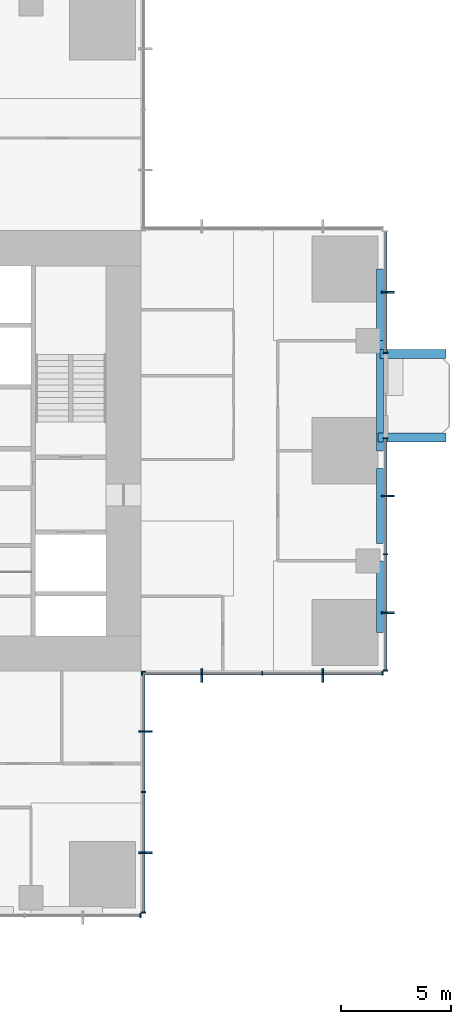
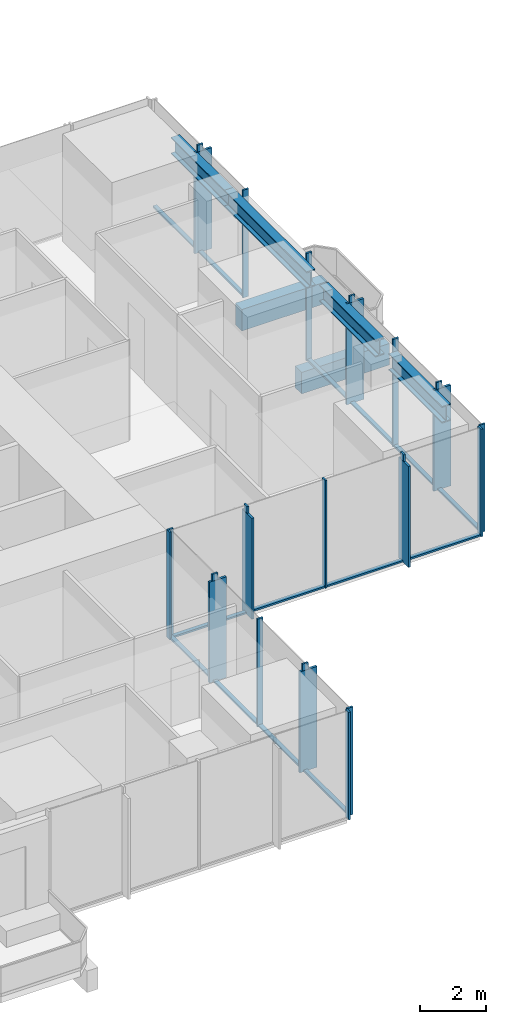
# One storey, part 4 of 13: 39 members, 6 beams, 5 elements without a shape of their own.
"""IFC4 building model written with IfcOpenShell, lengths in metres."""

from ifc_helpers import new_model, si_unit, direction, frame, origin, origin_2d, place, context, subcontext, project, spatial, rectangle, i_section, extrude, material, material_profile, profile_set, type_object, element, aggregate, save


model = new_model("IFC4")

# Units and contexts
model_context = context("Model", 3, precision=1e-05, world=origin(), true_north=direction((0.0, 1.0)))
body_context = subcontext(model_context, "Body", "Model", "MODEL_VIEW")
ifc_project = project(units=[si_unit("LENGTHUNIT", "METRE"), si_unit("AREAUNIT", "SQUARE_METRE"), si_unit("VOLUMEUNIT", "CUBIC_METRE"), si_unit("PLANEANGLEUNIT", "RADIAN"), si_unit("MASSUNIT", "GRAM", prefix="KILO")], contexts=[model_context])

# Site, building, storey
site_placement = place(None, origin())
site = spatial("IfcSite", under=ifc_project, at=site_placement, CompositionType="ELEMENT")
building_placement = place(site_placement, origin())
building = spatial("IfcBuilding", under=site, at=building_placement, Name="Svetlomir Tower", CompositionType="ELEMENT")
storey_placement = place(building_placement, frame((0.0, 0.0, 148.5)))
storey = spatial("IfcBuildingStorey", under=building, at=storey_placement, Name="L35", CompositionType="ELEMENT", Elevation=148.5)

# Beams
ifc_material_1 = material(Name="Concrete C60/75", Category="concrete")
ifc_material_profile_1 = material_profile(ifc_material_1, rectangle(XDim=0.39990234375, YDim=0.800048828125, at=origin_2d()), Name="RC 400x800")
ifc_profile_set_1 = profile_set([ifc_material_profile_1], Name="Concrete C60/75")
beam_type_1 = type_object("IfcBeamType", Name="BALCONY RIB RC 400x800", PredefinedType="BEAM", material=ifc_profile_set_1)
beam_1_placement = place(storey_placement, frame((41.75, 21.60009765625, -0.64990234375), z_axis=(1.0, 0.0, 0.0), x_axis=(0.0, 1.0, 0.0)))
element("IfcBeam", 1, at=beam_1_placement, inside=storey, type_object=beam_type_1, Name="Balcony rib E 1 L35", PredefinedType="BEAM", context=body_context, shape_type="SweptSolid", body=[
    extrude(rectangle(XDim=0.39990234375, YDim=0.800048828125, at=origin_2d()), origin(), (0.0, 0.0, 1.0), 3.10009765625),
])
beam_2_placement = place(storey_placement, frame((41.85009765625, 25.39990234375, -0.64990234375), z_axis=(1.0, 0.0, 0.0), x_axis=(0.0, 1.0, 0.0)))
element("IfcBeam", 2, at=beam_2_placement, inside=storey, type_object=beam_type_1, Name="Balcony rib E 2 L35", PredefinedType="BEAM", context=body_context, shape_type="SweptSolid", body=[
    extrude(rectangle(XDim=0.39990234375, YDim=0.800048828125, at=origin_2d()), origin(), (0.0, 0.0, 1.0), 3.0),
])

# Curtain wall, members
ifc_material_2 = material(Name="Bronze anodised aluminium curtain wall", Category="aluminium")
curtain_wall_type = type_object("IfcCurtainWallType", Name="CURTAIN WALL CW1 TOWER OFFICE", PredefinedType="NOTDEFINED", material=ifc_material_2)
curtain_wall_1_placement = place(storey_placement, origin())
curtain_wall_1 = element("IfcCurtainWall", 3, at=curtain_wall_1_placement, inside=storey, type_object=curtain_wall_type, Name="Curtain wall CW1 L35", PredefinedType="NOTDEFINED")
ifc_material_3 = material(Name="Bronze anodised aluminium", Category="aluminium")
ifc_material_profile_2 = material_profile(ifc_material_3, rectangle(XDim=0.080078125, YDim=0.60009765625, at=origin_2d()), Name="FIN 80x600")
ifc_profile_set_2 = profile_set([ifc_material_profile_2], Name="Bronze anodised aluminium 6063-T6")
member_type_1 = type_object("IfcMemberType", Name="BRONZE FIN 80x600", PredefinedType="USERDEFINED", material=ifc_profile_set_2)
member_1_placement = place(storey_placement, frame((31.199951171875, 2.75, 0.0), z_axis=(0.0, 0.0, 1.0), x_axis=(0.0, 1.0, 0.0)))
member_1 = element("IfcMember", 4, at=member_1_placement, type_object=member_type_1, Name="Bronze fin L35", ObjectType="FIN", PredefinedType="USERDEFINED", context=body_context, shape_type="SweptSolid", body=[
    extrude(rectangle(XDim=0.080078125, YDim=0.60009765625, at=origin_2d()), origin(), (0.0, 0.0, 1.0), 3.75),
])
member_2_placement = place(storey_placement, frame((31.199951171875, 8.25, 0.0), z_axis=(0.0, 0.0, 1.0), x_axis=(0.0, 1.0, 0.0)))
member_2 = element("IfcMember", 5, at=member_2_placement, type_object=member_type_1, Name="Bronze fin L35", ObjectType="FIN", PredefinedType="USERDEFINED", context=body_context, shape_type="SweptSolid", body=[
    extrude(rectangle(XDim=0.080078125, YDim=0.60009765625, at=origin_2d()), origin(), (0.0, 0.0, 1.0), 3.75),
])

curtain_wall_2_placement = place(storey_placement, origin())
curtain_wall_2 = element("IfcCurtainWall", 6, at=curtain_wall_2_placement, inside=storey, type_object=curtain_wall_type, Name="Curtain wall CW1 L35", PredefinedType="NOTDEFINED")
member_3_placement = place(storey_placement, frame((33.75, 10.800048828125, 0.0), z_axis=(0.0, 0.0, 1.0), x_axis=(1.0, 0.0, 0.0)))
member_3 = element("IfcMember", 7, at=member_3_placement, type_object=member_type_1, Name="Bronze fin L35", ObjectType="FIN", PredefinedType="USERDEFINED", context=body_context, shape_type="SweptSolid", body=[
    extrude(rectangle(XDim=0.080078125, YDim=0.60009765625, at=origin_2d()), origin(), (0.0, 0.0, 1.0), 3.75),
])
member_4_placement = place(storey_placement, frame((39.25, 10.800048828125, 0.0), z_axis=(0.0, 0.0, 1.0), x_axis=(1.0, 0.0, 0.0)))
member_4 = element("IfcMember", 8, at=member_4_placement, type_object=member_type_1, Name="Bronze fin L35", ObjectType="FIN", PredefinedType="USERDEFINED", context=body_context, shape_type="SweptSolid", body=[
    extrude(rectangle(XDim=0.080078125, YDim=0.60009765625, at=origin_2d()), origin(), (0.0, 0.0, 1.0), 3.75),
])

curtain_wall_3_placement = place(storey_placement, origin())
curtain_wall_3 = element("IfcCurtainWall", 9, at=curtain_wall_3_placement, inside=storey, type_object=curtain_wall_type, Name="Curtain wall CW1 L35", PredefinedType="NOTDEFINED")
member_5_placement = place(storey_placement, frame((42.199951171875, 13.64990234375, 0.0), z_axis=(0.0, 0.0, 1.0), x_axis=(0.0, 1.0, 0.0)))
member_5 = element("IfcMember", 10, at=member_5_placement, type_object=member_type_1, Name="Bronze fin L35", ObjectType="FIN", PredefinedType="USERDEFINED", context=body_context, shape_type="SweptSolid", body=[
    extrude(rectangle(XDim=0.080078125, YDim=0.60009765625, at=origin_2d()), origin(), (0.0, 0.0, 1.0), 3.75),
])
member_6_placement = place(storey_placement, frame((42.199951171875, 18.949951171875, 0.0), z_axis=(0.0, 0.0, 1.0), x_axis=(0.0, 1.0, 0.0)))
member_6 = element("IfcMember", 11, at=member_6_placement, type_object=member_type_1, Name="Bronze fin L35", ObjectType="FIN", PredefinedType="USERDEFINED", context=body_context, shape_type="SweptSolid", body=[
    extrude(rectangle(XDim=0.080078125, YDim=0.60009765625, at=origin_2d()), origin(), (0.0, 0.0, 1.0), 3.75),
])

# Curtain wall, member
curtain_wall_4_placement = place(storey_placement, origin())
curtain_wall_4 = element("IfcCurtainWall", 12, at=curtain_wall_4_placement, inside=storey, type_object=curtain_wall_type, Name="Curtain wall CW1 L35", PredefinedType="NOTDEFINED")
member_7_placement = place(storey_placement, frame((42.199951171875, 28.199951171875, 0.0), z_axis=(0.0, 0.0, 1.0), x_axis=(0.0, 1.0, 0.0)))
member_7 = element("IfcMember", 13, at=member_7_placement, type_object=member_type_1, Name="Bronze fin L35", ObjectType="FIN", PredefinedType="USERDEFINED", context=body_context, shape_type="SweptSolid", body=[
    extrude(rectangle(XDim=0.080078125, YDim=0.60009765625, at=origin_2d()), origin(), (0.0, 0.0, 1.0), 3.75),
])

curtain_wall_5_placement = place(storey_placement, origin())
curtain_wall_5 = element("IfcCurtainWall", 14, at=curtain_wall_5_placement, inside=storey, type_object=curtain_wall_type, Name="Curtain wall CW1 L35", PredefinedType="NOTDEFINED")
ifc_material_4 = material(Name="Bronze anodised aluminium", Category="aluminium")
ifc_material_profile_3 = material_profile(ifc_material_4, rectangle(XDim=0.06494140625, YDim=0.199951171875, at=origin_2d()), Name="AL 65x200")
ifc_profile_set_3 = profile_set([ifc_material_profile_3], Name="Bronze anodised aluminium 6063-T6")
member_type_2 = type_object("IfcMemberType", Name="CW1 MULLION 65x200", PredefinedType="MULLION", material=ifc_profile_set_3)
member_8_placement = place(storey_placement, frame((30.967529296875, -0.10009765625, 0.0), z_axis=(0.0, 0.0, 1.0), x_axis=(1.0, 0.0, 0.0)))
member_8 = element("IfcMember", 15, at=member_8_placement, type_object=member_type_2, Name="CW1 mullion 5", PredefinedType="MULLION", context=body_context, shape_type="SweptSolid", body=[
    extrude(rectangle(XDim=0.06494140625, YDim=0.199951171875, at=origin_2d()), origin(), (0.0, 0.0, 1.0), 4.0),
])
aggregate(curtain_wall_5, [member_8])

# Member
member_9_placement = place(storey_placement, frame((31.10009765625, 0.032470703125, 0.0), z_axis=(0.0, 0.0, 1.0), x_axis=(0.0, 1.0, 0.0)))
member_9 = element("IfcMember", 16, at=member_9_placement, type_object=member_type_2, Name="CW1 mullion 1", PredefinedType="MULLION", context=body_context, shape_type="SweptSolid", body=[
    extrude(rectangle(XDim=0.06494140625, YDim=0.199951171875, at=origin_2d()), origin(), (0.0, 0.0, 1.0), 4.0),
])

member_10_placement = place(storey_placement, frame((31.10009765625, 2.75, 0.0), z_axis=(0.0, 0.0, 1.0), x_axis=(0.0, 1.0, 0.0)))
member_10 = element("IfcMember", 17, at=member_10_placement, type_object=member_type_2, Name="CW1 mullion 2", PredefinedType="MULLION", context=body_context, shape_type="SweptSolid", body=[
    extrude(rectangle(XDim=0.06494140625, YDim=0.199951171875, at=origin_2d()), origin(), (0.0, 0.0, 1.0), 4.0),
])

member_11_placement = place(storey_placement, frame((31.10009765625, 5.5, 0.0), z_axis=(0.0, 0.0, 1.0), x_axis=(0.0, 1.0, 0.0)))
member_11 = element("IfcMember", 18, at=member_11_placement, type_object=member_type_2, Name="CW1 mullion 3", PredefinedType="MULLION", context=body_context, shape_type="SweptSolid", body=[
    extrude(rectangle(XDim=0.06494140625, YDim=0.199951171875, at=origin_2d()), origin(), (0.0, 0.0, 1.0), 4.0),
])

member_12_placement = place(storey_placement, frame((31.10009765625, 8.25, 0.0), z_axis=(0.0, 0.0, 1.0), x_axis=(0.0, 1.0, 0.0)))
member_12 = element("IfcMember", 19, at=member_12_placement, type_object=member_type_2, Name="CW1 mullion 4", PredefinedType="MULLION", context=body_context, shape_type="SweptSolid", body=[
    extrude(rectangle(XDim=0.06494140625, YDim=0.199951171875, at=origin_2d()), origin(), (0.0, 0.0, 1.0), 4.0),
])

member_13_placement = place(storey_placement, frame((31.10009765625, 10.967529296875, 0.0), z_axis=(0.0, 0.0, 1.0), x_axis=(0.0, 1.0, 0.0)))
member_13 = element("IfcMember", 20, at=member_13_placement, type_object=member_type_2, Name="CW1 mullion 5", PredefinedType="MULLION", context=body_context, shape_type="SweptSolid", body=[
    extrude(rectangle(XDim=0.06494140625, YDim=0.199951171875, at=origin_2d()), origin(), (0.0, 0.0, 1.0), 4.0),
])

member_14_placement = place(storey_placement, frame((31.032470703125, 10.89990234375, 0.0), z_axis=(0.0, 0.0, 1.0), x_axis=(1.0, 0.0, 0.0)))
member_14 = element("IfcMember", 21, at=member_14_placement, type_object=member_type_2, Name="CW1 mullion 1", PredefinedType="MULLION", context=body_context, shape_type="SweptSolid", body=[
    extrude(rectangle(XDim=0.06494140625, YDim=0.199951171875, at=origin_2d()), origin(), (0.0, 0.0, 1.0), 4.0),
])

member_15_placement = place(storey_placement, frame((33.75, 10.89990234375, 0.0), z_axis=(0.0, 0.0, 1.0), x_axis=(1.0, 0.0, 0.0)))
member_15 = element("IfcMember", 22, at=member_15_placement, type_object=member_type_2, Name="CW1 mullion 2", PredefinedType="MULLION", context=body_context, shape_type="SweptSolid", body=[
    extrude(rectangle(XDim=0.06494140625, YDim=0.199951171875, at=origin_2d()), origin(), (0.0, 0.0, 1.0), 4.0),
])

member_16_placement = place(storey_placement, frame((36.5, 10.89990234375, 0.0), z_axis=(0.0, 0.0, 1.0), x_axis=(1.0, 0.0, 0.0)))
member_16 = element("IfcMember", 23, at=member_16_placement, type_object=member_type_2, Name="CW1 mullion 3", PredefinedType="MULLION", context=body_context, shape_type="SweptSolid", body=[
    extrude(rectangle(XDim=0.06494140625, YDim=0.199951171875, at=origin_2d()), origin(), (0.0, 0.0, 1.0), 4.0),
])

member_17_placement = place(storey_placement, frame((39.25, 10.89990234375, 0.0), z_axis=(0.0, 0.0, 1.0), x_axis=(1.0, 0.0, 0.0)))
member_17 = element("IfcMember", 24, at=member_17_placement, type_object=member_type_2, Name="CW1 mullion 4", PredefinedType="MULLION", context=body_context, shape_type="SweptSolid", body=[
    extrude(rectangle(XDim=0.06494140625, YDim=0.199951171875, at=origin_2d()), origin(), (0.0, 0.0, 1.0), 4.0),
])

member_18_placement = place(storey_placement, frame((41.967529296875, 10.89990234375, 0.0), z_axis=(0.0, 0.0, 1.0), x_axis=(1.0, 0.0, 0.0)))
member_18 = element("IfcMember", 25, at=member_18_placement, type_object=member_type_2, Name="CW1 mullion 5", PredefinedType="MULLION", context=body_context, shape_type="SweptSolid", body=[
    extrude(rectangle(XDim=0.06494140625, YDim=0.199951171875, at=origin_2d()), origin(), (0.0, 0.0, 1.0), 4.0),
])

member_19_placement = place(storey_placement, frame((42.10009765625, 11.032470703125, 0.0), z_axis=(0.0, 0.0, 1.0), x_axis=(0.0, 1.0, 0.0)))
member_19 = element("IfcMember", 26, at=member_19_placement, type_object=member_type_2, Name="CW1 mullion 1", PredefinedType="MULLION", context=body_context, shape_type="SweptSolid", body=[
    extrude(rectangle(XDim=0.06494140625, YDim=0.199951171875, at=origin_2d()), origin(), (0.0, 0.0, 1.0), 4.0),
])

member_20_placement = place(storey_placement, frame((42.10009765625, 13.64990234375, 0.0), z_axis=(0.0, 0.0, 1.0), x_axis=(0.0, 1.0, 0.0)))
member_20 = element("IfcMember", 27, at=member_20_placement, type_object=member_type_2, Name="CW1 mullion 2", PredefinedType="MULLION", context=body_context, shape_type="SweptSolid", body=[
    extrude(rectangle(XDim=0.06494140625, YDim=0.199951171875, at=origin_2d()), origin(), (0.0, 0.0, 1.0), 4.0),
])

member_21_placement = place(storey_placement, frame((42.10009765625, 16.300048828125, 0.0), z_axis=(0.0, 0.0, 1.0), x_axis=(0.0, 1.0, 0.0)))
member_21 = element("IfcMember", 28, at=member_21_placement, type_object=member_type_2, Name="CW1 mullion 3", PredefinedType="MULLION", context=body_context, shape_type="SweptSolid", body=[
    extrude(rectangle(XDim=0.06494140625, YDim=0.199951171875, at=origin_2d()), origin(), (0.0, 0.0, 1.0), 4.0),
])

member_22_placement = place(storey_placement, frame((42.10009765625, 18.949951171875, 0.0), z_axis=(0.0, 0.0, 1.0), x_axis=(0.0, 1.0, 0.0)))
member_22 = element("IfcMember", 29, at=member_22_placement, type_object=member_type_2, Name="CW1 mullion 4", PredefinedType="MULLION", context=body_context, shape_type="SweptSolid", body=[
    extrude(rectangle(XDim=0.06494140625, YDim=0.199951171875, at=origin_2d()), origin(), (0.0, 0.0, 1.0), 4.0),
])

member_23_placement = place(storey_placement, frame((42.10009765625, 21.5673828125, 0.0), z_axis=(0.0, 0.0, 1.0), x_axis=(0.0, 1.0, 0.0)))
member_23 = element("IfcMember", 30, at=member_23_placement, type_object=member_type_2, Name="CW1 mullion 5", PredefinedType="MULLION", context=body_context, shape_type="SweptSolid", body=[
    extrude(rectangle(XDim=0.06494140625, YDim=0.199951171875, at=origin_2d()), origin(), (0.0, 0.0, 1.0), 4.0),
])

member_24_placement = place(storey_placement, frame((42.10009765625, 25.4326171875, 0.0), z_axis=(0.0, 0.0, 1.0), x_axis=(0.0, 1.0, 0.0)))
member_24 = element("IfcMember", 31, at=member_24_placement, type_object=member_type_2, Name="CW1 mullion 1", PredefinedType="MULLION", context=body_context, shape_type="SweptSolid", body=[
    extrude(rectangle(XDim=0.06494140625, YDim=0.199951171875, at=origin_2d()), origin(), (0.0, 0.0, 1.0), 4.0),
])

member_25_placement = place(storey_placement, frame((42.10009765625, 28.199951171875, 0.0), z_axis=(0.0, 0.0, 1.0), x_axis=(0.0, 1.0, 0.0)))
member_25 = element("IfcMember", 32, at=member_25_placement, type_object=member_type_2, Name="CW1 mullion 2", PredefinedType="MULLION", context=body_context, shape_type="SweptSolid", body=[
    extrude(rectangle(XDim=0.06494140625, YDim=0.199951171875, at=origin_2d()), origin(), (0.0, 0.0, 1.0), 4.0),
])

ifc_material_5 = material(Name="Bronze anodised aluminium", Category="aluminium")
ifc_material_profile_4 = material_profile(ifc_material_5, rectangle(XDim=0.139892578125, YDim=0.06494140625, at=origin_2d()), Name="AL 140x65")
ifc_profile_set_4 = profile_set([ifc_material_profile_4], Name="Bronze anodised aluminium 6063-T6")
member_type_3 = type_object("IfcMemberType", Name="CW1 TRANSOM 65x140", PredefinedType="USERDEFINED", material=ifc_profile_set_4)
member_26_placement = place(storey_placement, frame((31.10009765625, 0.06494140625, 0.032470703125), z_axis=(0.0, 1.0, 0.0), x_axis=(-1.0, 0.0, 0.0)))
member_26 = element("IfcMember", 33, at=member_26_placement, type_object=member_type_3, Name="CW1 transom 1.1", ObjectType="TRANSOM", PredefinedType="USERDEFINED", context=body_context, shape_type="SweptSolid", body=[
    extrude(rectangle(XDim=0.139892578125, YDim=0.06494140625, at=origin_2d()), origin(), (0.0, 0.0, 1.0), 2.652587890625),
])

member_27_placement = place(storey_placement, frame((31.10009765625, 2.782470703125, 0.032470703125), z_axis=(0.0, 1.0, 0.0), x_axis=(-1.0, 0.0, 0.0)))
member_27 = element("IfcMember", 34, at=member_27_placement, type_object=member_type_3, Name="CW1 transom 2.1", ObjectType="TRANSOM", PredefinedType="USERDEFINED", context=body_context, shape_type="SweptSolid", body=[
    extrude(rectangle(XDim=0.139892578125, YDim=0.06494140625, at=origin_2d()), origin(), (0.0, 0.0, 1.0), 2.68505859375),
])

member_28_placement = place(storey_placement, frame((31.10009765625, 5.532470703125, 0.032470703125), z_axis=(0.0, 1.0, 0.0), x_axis=(-1.0, 0.0, 0.0)))
member_28 = element("IfcMember", 35, at=member_28_placement, type_object=member_type_3, Name="CW1 transom 3.1", ObjectType="TRANSOM", PredefinedType="USERDEFINED", context=body_context, shape_type="SweptSolid", body=[
    extrude(rectangle(XDim=0.139892578125, YDim=0.06494140625, at=origin_2d()), origin(), (0.0, 0.0, 1.0), 2.68505859375),
])

member_29_placement = place(storey_placement, frame((31.10009765625, 8.282470703125, 0.032470703125), z_axis=(0.0, 1.0, 0.0), x_axis=(-1.0, 0.0, 0.0)))
member_29 = element("IfcMember", 36, at=member_29_placement, type_object=member_type_3, Name="CW1 transom 4.1", ObjectType="TRANSOM", PredefinedType="USERDEFINED", context=body_context, shape_type="SweptSolid", body=[
    extrude(rectangle(XDim=0.139892578125, YDim=0.06494140625, at=origin_2d()), origin(), (0.0, 0.0, 1.0), 2.652587890625),
])

aggregate(curtain_wall_1, [member_9, member_10, member_11, member_12, member_13, member_26, member_27, member_28, member_29, member_1, member_2])

member_30_placement = place(storey_placement, frame((31.06494140625, 10.89990234375, 0.032470703125), z_axis=(1.0, 0.0, 0.0), x_axis=(0.0, 1.0, 0.0)))
member_30 = element("IfcMember", 37, at=member_30_placement, type_object=member_type_3, Name="CW1 transom 1.1", ObjectType="TRANSOM", PredefinedType="USERDEFINED", context=body_context, shape_type="SweptSolid", body=[
    extrude(rectangle(XDim=0.139892578125, YDim=0.06494140625, at=origin_2d()), origin(), (0.0, 0.0, 1.0), 2.652587890625),
])

member_31_placement = place(storey_placement, frame((33.782470703125, 10.89990234375, 0.032470703125), z_axis=(1.0, 0.0, 0.0), x_axis=(0.0, 1.0, 0.0)))
member_31 = element("IfcMember", 38, at=member_31_placement, type_object=member_type_3, Name="CW1 transom 2.1", ObjectType="TRANSOM", PredefinedType="USERDEFINED", context=body_context, shape_type="SweptSolid", body=[
    extrude(rectangle(XDim=0.139892578125, YDim=0.06494140625, at=origin_2d()), origin(), (0.0, 0.0, 1.0), 2.68505859375),
])

member_32_placement = place(storey_placement, frame((36.532470703125, 10.89990234375, 0.032470703125), z_axis=(1.0, 0.0, 0.0), x_axis=(0.0, 1.0, 0.0)))
member_32 = element("IfcMember", 39, at=member_32_placement, type_object=member_type_3, Name="CW1 transom 3.1", ObjectType="TRANSOM", PredefinedType="USERDEFINED", context=body_context, shape_type="SweptSolid", body=[
    extrude(rectangle(XDim=0.139892578125, YDim=0.06494140625, at=origin_2d()), origin(), (0.0, 0.0, 1.0), 2.68505859375),
])

member_33_placement = place(storey_placement, frame((39.282470703125, 10.89990234375, 0.032470703125), z_axis=(1.0, 0.0, 0.0), x_axis=(0.0, 1.0, 0.0)))
member_33 = element("IfcMember", 40, at=member_33_placement, type_object=member_type_3, Name="CW1 transom 4.1", ObjectType="TRANSOM", PredefinedType="USERDEFINED", context=body_context, shape_type="SweptSolid", body=[
    extrude(rectangle(XDim=0.139892578125, YDim=0.06494140625, at=origin_2d()), origin(), (0.0, 0.0, 1.0), 2.652587890625),
])

aggregate(curtain_wall_2, [member_14, member_15, member_16, member_17, member_18, member_30, member_31, member_32, member_33, member_3, member_4])

member_34_placement = place(storey_placement, frame((42.10009765625, 11.06494140625, 0.032470703125), z_axis=(0.0, 1.0, 0.0), x_axis=(-1.0, 0.0, 0.0)))
member_34 = element("IfcMember", 41, at=member_34_placement, type_object=member_type_3, Name="CW1 transom 1.1", ObjectType="TRANSOM", PredefinedType="USERDEFINED", context=body_context, shape_type="SweptSolid", body=[
    extrude(rectangle(XDim=0.139892578125, YDim=0.06494140625, at=origin_2d()), origin(), (0.0, 0.0, 1.0), 2.552490234375),
])

member_35_placement = place(storey_placement, frame((42.10009765625, 13.6826171875, 0.032470703125), z_axis=(0.0, 1.0, 0.0), x_axis=(-1.0, 0.0, 0.0)))
member_35 = element("IfcMember", 42, at=member_35_placement, type_object=member_type_3, Name="CW1 transom 2.1", ObjectType="TRANSOM", PredefinedType="USERDEFINED", context=body_context, shape_type="SweptSolid", body=[
    extrude(rectangle(XDim=0.139892578125, YDim=0.06494140625, at=origin_2d()), origin(), (0.0, 0.0, 1.0), 2.5849609375),
])

member_36_placement = place(storey_placement, frame((42.10009765625, 16.33251953125, 0.032470703125), z_axis=(0.0, 1.0, 0.0), x_axis=(-1.0, 0.0, 0.0)))
member_36 = element("IfcMember", 43, at=member_36_placement, type_object=member_type_3, Name="CW1 transom 3.1", ObjectType="TRANSOM", PredefinedType="USERDEFINED", context=body_context, shape_type="SweptSolid", body=[
    extrude(rectangle(XDim=0.139892578125, YDim=0.06494140625, at=origin_2d()), origin(), (0.0, 0.0, 1.0), 2.5849609375),
])

member_37_placement = place(storey_placement, frame((42.10009765625, 18.982421875, 0.032470703125), z_axis=(0.0, 1.0, 0.0), x_axis=(-1.0, 0.0, 0.0)))
member_37 = element("IfcMember", 44, at=member_37_placement, type_object=member_type_3, Name="CW1 transom 4.1", ObjectType="TRANSOM", PredefinedType="USERDEFINED", context=body_context, shape_type="SweptSolid", body=[
    extrude(rectangle(XDim=0.139892578125, YDim=0.06494140625, at=origin_2d()), origin(), (0.0, 0.0, 1.0), 2.552490234375),
])

aggregate(curtain_wall_3, [member_19, member_20, member_21, member_22, member_23, member_34, member_35, member_36, member_37, member_5, member_6])

member_38_placement = place(storey_placement, frame((42.10009765625, 25.465087890625, 0.032470703125), z_axis=(0.0, 1.0, 0.0), x_axis=(-1.0, 0.0, 0.0)))
member_38 = element("IfcMember", 45, at=member_38_placement, type_object=member_type_3, Name="CW1 transom 1.1", ObjectType="TRANSOM", PredefinedType="USERDEFINED", context=body_context, shape_type="SweptSolid", body=[
    extrude(rectangle(XDim=0.139892578125, YDim=0.06494140625, at=origin_2d()), origin(), (0.0, 0.0, 1.0), 2.702392578125),
])

member_39_placement = place(storey_placement, frame((42.10009765625, 28.232421875, 0.032470703125), z_axis=(0.0, 1.0, 0.0), x_axis=(-1.0, 0.0, 0.0)))
member_39 = element("IfcMember", 46, at=member_39_placement, type_object=member_type_3, Name="CW1 transom 2.1", ObjectType="TRANSOM", PredefinedType="USERDEFINED", context=body_context, shape_type="SweptSolid", body=[
    extrude(rectangle(XDim=0.139892578125, YDim=0.06494140625, at=origin_2d()), origin(), (0.0, 0.0, 1.0), 2.70263671875),
])

aggregate(curtain_wall_4, [member_24, member_25, member_38, member_39, member_7])

# Beams
ifc_material_6 = material(Name="Steel S355", Category="steel")
ifc_material_profile_5 = material_profile(ifc_material_6, i_section(OverallWidth=0.304931640625, OverallDepth=0.6201171875, WebThickness=0.02099609375, FlangeThickness=0.0400390625, FilletRadius=0.027099609375, at=origin_2d()), Name="HEM 600")
ifc_profile_set_5 = profile_set([ifc_material_profile_5], Name="Steel S355")
beam_type_2 = type_object("IfcBeamType", Name="EDGE BEAM HEM 600", PredefinedType="SPANDREL", material=ifc_profile_set_5)
beam_3_placement = place(storey_placement, frame((41.847412109375, 12.75, 3.43994140625), z_axis=(0.0, 1.0, 0.0), x_axis=(-1.0, 0.0, 0.0)))
element("IfcBeam", 47, at=beam_3_placement, inside=storey, type_object=beam_type_2, Name="Edge beam 42/11 to 42/16 under L36", PredefinedType="SPANDREL", context=body_context, shape_type="SweptSolid", body=[
    extrude(i_section(OverallWidth=0.304931640625, OverallDepth=0.6201171875, WebThickness=0.02099609375, FlangeThickness=0.0400390625, FilletRadius=0.027099609375, at=origin_2d()), origin(), (0.0, 0.0, 1.0), 3.25),
])
beam_4_placement = place(storey_placement, frame((41.847412109375, 16.800048828125, 3.43994140625), z_axis=(0.0, 1.0, 0.0), x_axis=(-1.0, 0.0, 0.0)))
element("IfcBeam", 48, at=beam_4_placement, inside=storey, type_object=beam_type_2, Name="Edge beam 42/16 to 42/21 under L36", PredefinedType="SPANDREL", context=body_context, shape_type="SweptSolid", body=[
    extrude(i_section(OverallWidth=0.304931640625, OverallDepth=0.6201171875, WebThickness=0.02099609375, FlangeThickness=0.0400390625, FilletRadius=0.027099609375, at=origin_2d()), origin(), (0.0, 0.0, 1.0), 3.39990234375),
])
beam_5_placement = place(storey_placement, frame((41.847412109375, 21.0, 3.43994140625), z_axis=(0.0, 1.0, 0.0), x_axis=(-1.0, 0.0, 0.0)))
element("IfcBeam", 49, at=beam_5_placement, inside=storey, type_object=beam_type_2, Name="Edge beam 42/21 to 42/26 under L36", PredefinedType="SPANDREL", context=body_context, shape_type="SweptSolid", body=[
    extrude(i_section(OverallWidth=0.304931640625, OverallDepth=0.6201171875, WebThickness=0.02099609375, FlangeThickness=0.0400390625, FilletRadius=0.027099609375, at=origin_2d()), origin(), (0.0, 0.0, 1.0), 5.0),
])
beam_6_placement = place(storey_placement, frame((41.847412109375, 26.0, 3.43994140625), z_axis=(0.0, 1.0, 0.0), x_axis=(-1.0, 0.0, 0.0)))
element("IfcBeam", 50, at=beam_6_placement, inside=storey, type_object=beam_type_2, Name="Edge beam 42/26 to 42/31 under L36", PredefinedType="SPANDREL", context=body_context, shape_type="SweptSolid", body=[
    extrude(i_section(OverallWidth=0.304931640625, OverallDepth=0.6201171875, WebThickness=0.02099609375, FlangeThickness=0.0400390625, FilletRadius=0.027099609375, at=origin_2d()), origin(), (0.0, 0.0, 1.0), 3.25),
])

save(model, "model.ifc")
